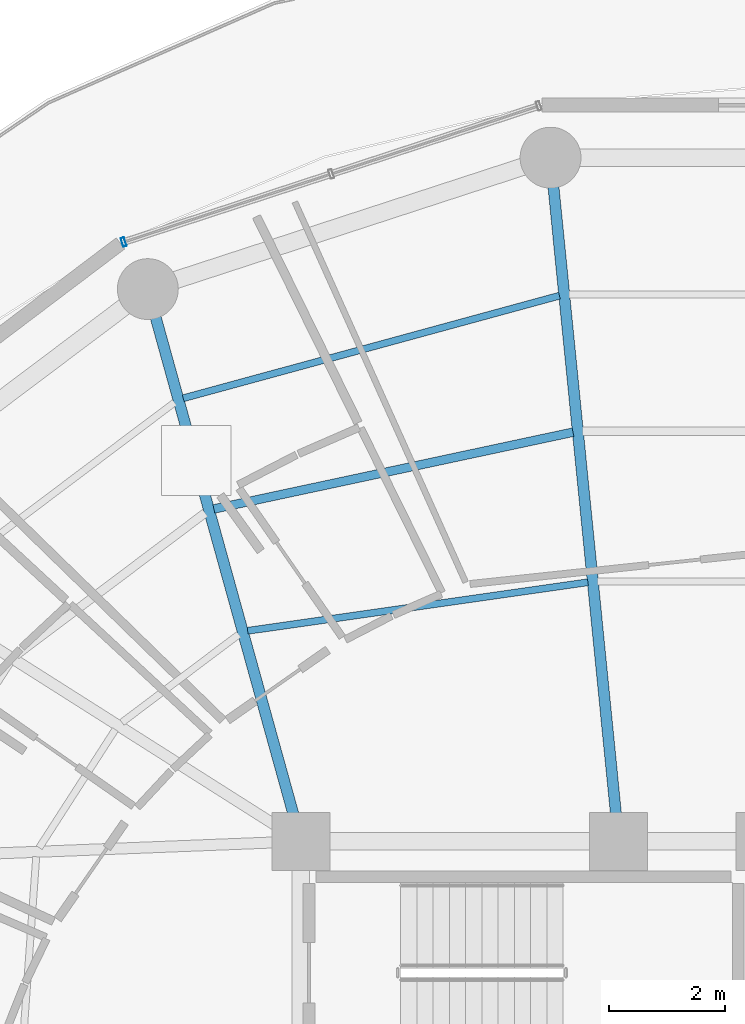
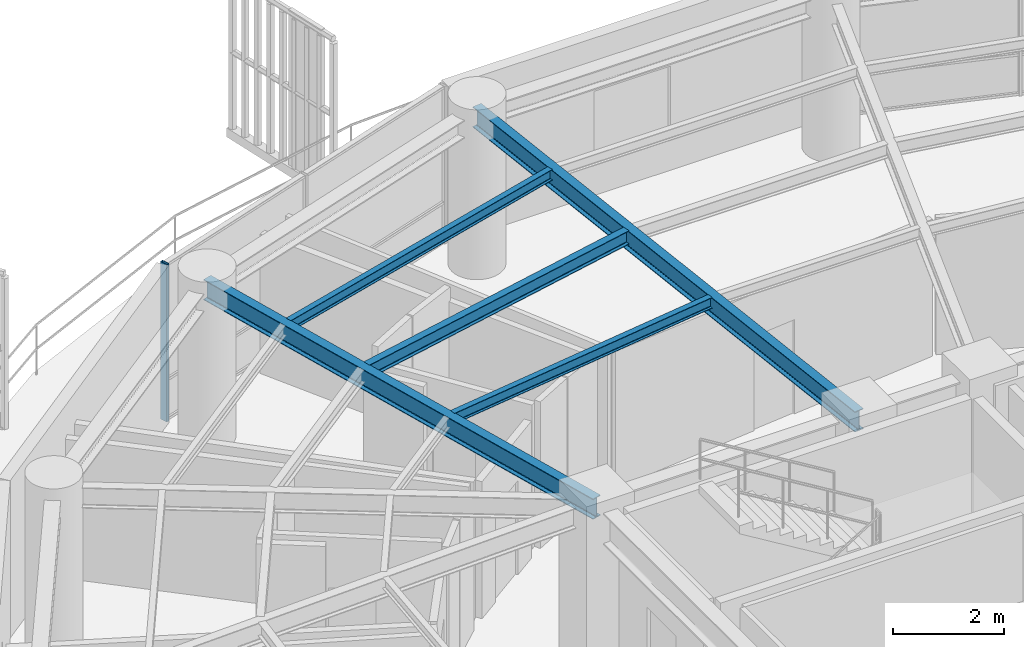
# One storey, part 18 of 31: 5 beams, 1 member, 1 element without a shape of its own.
"""IFC4 building model written with IfcOpenShell, lengths in metres."""

from ifc_helpers import new_model, si_unit, direction, frame, origin, origin_2d, place, context, subcontext, project, spatial, hollow_rectangle, i_section, extrude, material, layer, layer_set, material_profile, profile_set, type_object, element, aggregate, save


model = new_model("IFC4")

# Units and contexts
model_context = context("Model", 3, precision=1e-05, world=origin(), true_north=direction((0.0, 1.0)))
body_context = subcontext(model_context, "Body", "Model", "MODEL_VIEW")
ifc_project = project(units=[si_unit("LENGTHUNIT", "METRE"), si_unit("AREAUNIT", "SQUARE_METRE"), si_unit("VOLUMEUNIT", "CUBIC_METRE"), si_unit("PLANEANGLEUNIT", "RADIAN"), si_unit("MASSUNIT", "GRAM", prefix="KILO")], contexts=[model_context])

# Site, building, storey
site_placement = place(None, origin())
site = spatial("IfcSite", under=ifc_project, at=site_placement, CompositionType="ELEMENT")
building_placement = place(site_placement, origin())
building = spatial("IfcBuilding", under=site, at=building_placement, Name="Kelanora Arch Commons", CompositionType="ELEMENT")
storey_placement = place(building_placement, frame((0.0, 0.0, 219.449951171875)))
storey = spatial("IfcBuildingStorey", under=building, at=storey_placement, Name="L56", CompositionType="ELEMENT", Elevation=219.449951171875)

# Beams
ifc_material_1 = material(Name="Steel S355", Category="steel")
ifc_material_profile_1 = material_profile(ifc_material_1, i_section(OverallWidth=0.14990234375, OverallDepth=0.300048828125, WebThickness=0.007080078125, FlangeThickness=0.0107421875, FilletRadius=0.014892578125, at=origin_2d()), Name="IPE300")
ifc_profile_set_1 = profile_set([ifc_material_profile_1], Name="Steel S355")
beam_type_1 = type_object("IfcBeamType", Name="BM-JST-01", PredefinedType="JOIST", material=ifc_profile_set_1)
beam_1_placement = place(storey_placement, frame((70.69189453125, 72.056396484375, 3.340087890625), z_axis=(-0.977893715981, -0.209102559153, 0.0), x_axis=(0.209102559153, -0.977893715981, 0.0)))
element("IfcBeam", 1, at=beam_1_placement, inside=storey, type_object=beam_type_1, Name="Secondary Chord Joist BJB-10 L56", PredefinedType="JOIST", context=body_context, shape_type="SweptSolid", body=[
    extrude(i_section(OverallWidth=0.14990234375, OverallDepth=0.300048828125, WebThickness=0.007080078125, FlangeThickness=0.0107421875, FilletRadius=0.014892578125, at=origin_2d()), origin(), (0.0, 0.0, 1.0), 6.332763671875),
])
ifc_material_profile_2 = material_profile(ifc_material_1, i_section(OverallWidth=0.1201171875, OverallDepth=0.239990234375, WebThickness=0.006103515625, FlangeThickness=0.009765625, FilletRadius=0.014892578125, at=origin_2d()), Name="IPE240")
ifc_profile_set_2 = profile_set([ifc_material_profile_2], Name="Steel S355")
beam_type_2 = type_object("IfcBeamType", Name="BM-JST-02", PredefinedType="JOIST", material=ifc_profile_set_2)
beam_2_placement = place(storey_placement, frame((70.94921875, 69.46826171875, 3.3701171875), z_axis=(-0.989977480435, -0.141225310164, 0.0), x_axis=(0.141225310164, -0.989977480435, 0.0)))
element("IfcBeam", 2, at=beam_2_placement, inside=storey, type_object=beam_type_2, Name="Secondary Chord Joist BJA-10 L56", PredefinedType="JOIST", context=body_context, shape_type="SweptSolid", body=[
    extrude(i_section(OverallWidth=0.1201171875, OverallDepth=0.239990234375, WebThickness=0.006103515625, FlangeThickness=0.009765625, FilletRadius=0.014892578125, at=origin_2d()), origin(), (0.0, 0.0, 1.0), 5.927734375),
])
beam_3_placement = place(storey_placement, frame((70.457763671875, 74.40966796875, 3.3701171875), z_axis=(-0.964804863594, -0.262966870889, 0.0), x_axis=(0.262966870889, -0.964804863594, 0.0)))
element("IfcBeam", 3, at=beam_3_placement, inside=storey, type_object=beam_type_2, Name="Secondary Chord Joist BJC-10 L56", PredefinedType="JOIST", context=body_context, shape_type="SweptSolid", body=[
    extrude(i_section(OverallWidth=0.1201171875, OverallDepth=0.239990234375, WebThickness=0.006103515625, FlangeThickness=0.009765625, FilletRadius=0.014892578125, at=origin_2d()), origin(), (0.0, 0.0, 1.0), 6.724365234375),
])
ifc_material_profile_3 = material_profile(ifc_material_1, i_section(OverallWidth=0.18994140625, OverallDepth=0.449951171875, WebThickness=0.009521484375, FlangeThickness=0.0146484375, FilletRadius=0.02099609375, at=origin_2d()), Name="IPE450")
ifc_profile_set_3 = profile_set([ifc_material_profile_3], Name="Steel S355")
beam_type_3 = type_object("IfcBeamType", Name="BM-RAD-Z4", PredefinedType="BEAM", material=ifc_profile_set_3)
beam_4_placement = place(storey_placement, frame((71.47998046875, 65.0, 3.26513671875), z_axis=(-0.099193615558, 0.995068151753, 0.0), x_axis=(-0.995068151753, -0.099193615558, 0.0)))
element("IfcBeam", 4, at=beam_4_placement, inside=storey, type_object=beam_type_3, Name="Radial Floor Girder BR-10 L56", PredefinedType="BEAM", context=body_context, shape_type="SweptSolid", body=[
    extrude(i_section(OverallWidth=0.18994140625, OverallDepth=0.449951171875, WebThickness=0.009521484375, FlangeThickness=0.0146484375, FilletRadius=0.02099609375, at=origin_2d()), origin(), (0.0, 0.0, 1.0), 11.848388671875),
])
beam_5_placement = place(storey_placement, frame((66.0, 65.0, 3.26513671875), z_axis=(-0.267120164296, 0.963663228429, 0.0), x_axis=(-0.963663228429, -0.267120164296, 0.0)))
element("IfcBeam", 5, at=beam_5_placement, inside=storey, type_object=beam_type_3, Name="Radial Floor Girder BR-12 L56", PredefinedType="BEAM", context=body_context, shape_type="SweptSolid", body=[
    extrude(i_section(OverallWidth=0.18994140625, OverallDepth=0.449951171875, WebThickness=0.009521484375, FlangeThickness=0.0146484375, FilletRadius=0.02099609375, at=origin_2d()), origin(), (0.0, 0.0, 1.0), 9.8828125),
])

# Curtain wall, member
ifc_material_2 = material(Name="Terracotta ceramic-fritted low-E glass and aluminium", Category="masonry")
ifc_layer = layer(ifc_material_2, 0.175048828125)
ifc_layer_set = layer_set([ifc_layer], Name="Terracotta ceramic-fritted low-E glass and aluminium")
curtain_wall_type = type_object("IfcCurtainWallType", Name="CW-SYS-02", PredefinedType="NOTDEFINED", material=ifc_layer_set)
curtain_wall_placement = place(storey_placement, origin())
curtain_wall = element("IfcCurtainWall", 6, at=curtain_wall_placement, inside=storey, type_object=curtain_wall_type, Name="Unitised Curtain Wall L56-B05", PredefinedType="NOTDEFINED")
ifc_material_3 = material(Name="Powder-coated aluminium terracotta", Category="masonry")
ifc_material_profile_4 = material_profile(ifc_material_3, hollow_rectangle(XDim=0.159912109375, YDim=0.06005859375, WallThickness=0.0048828125, InnerFilletRadius=0.0048828125, OuterFilletRadius=0.010009765625, at=origin_2d()), Name="CWM160x60")
ifc_profile_set_4 = profile_set([ifc_material_profile_4], Name="Powder-coated aluminium terracotta")
member_type = type_object("IfcMemberType", Name="CWM-STD", PredefinedType="MULLION", material=ifc_profile_set_4)
member_placement = place(storey_placement, frame((62.94287109375, 75.33447265625, 0.0), z_axis=(0.0, 0.0, 1.0), x_axis=(0.311582439059, -0.950219124029, 0.0)))
member = element("IfcMember", 7, at=member_placement, type_object=member_type, Name="CW-02 mullion 3", PredefinedType="MULLION", context=body_context, shape_type="SweptSolid", body=[
    extrude(hollow_rectangle(XDim=0.159912109375, YDim=0.06005859375, WallThickness=0.0048828125, InnerFilletRadius=0.0048828125, OuterFilletRadius=0.010009765625, at=origin_2d()), origin(), (0.0, 0.0, 1.0), 3.47509765625),
])
aggregate(curtain_wall, [member])

save(model, "model.ifc")
